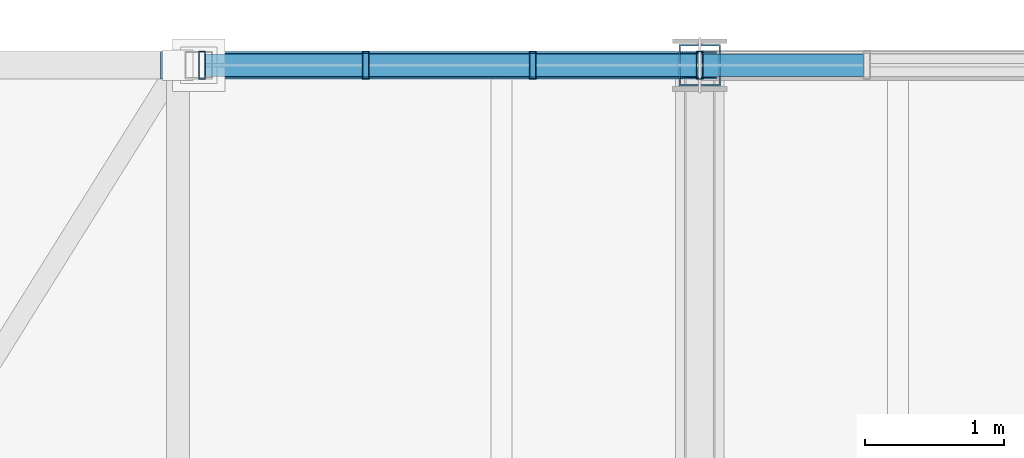
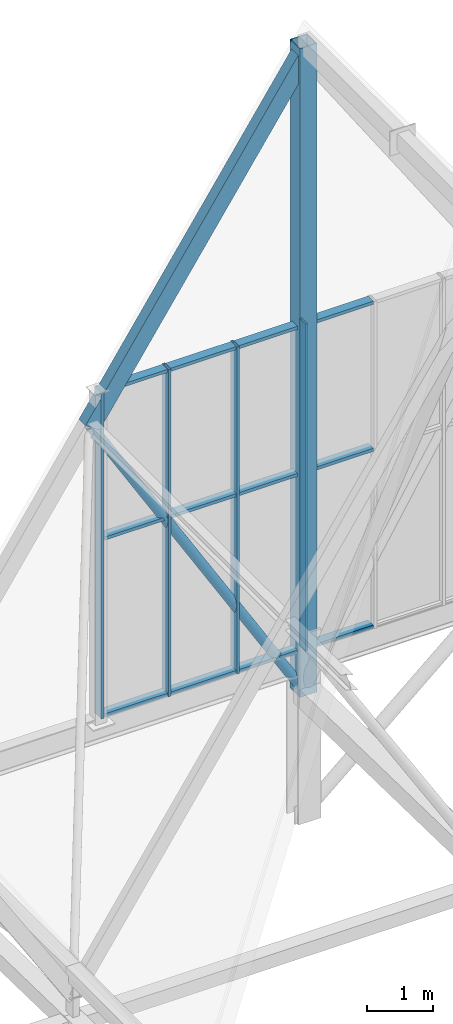
# One storey, part 238 of 324: 19 members, 1 element without a shape of its own.
"""IFC4 building model written with IfcOpenShell, lengths in metres."""

from ifc_helpers import new_model, si_unit, direction, frame, origin, origin_2d, place, context, subcontext, project, spatial, hollow_rectangle, hollow_circle, extrude, material, layer, layer_set, material_profile, profile_set, type_object, element, aggregate, save


model = new_model("IFC4")

# Units and contexts
model_context = context("Model", 3, precision=1e-05, world=origin(), true_north=direction((0.0, 1.0)))
body_context = subcontext(model_context, "Body", "Model", "MODEL_VIEW")
ifc_project = project(units=[si_unit("LENGTHUNIT", "METRE"), si_unit("AREAUNIT", "SQUARE_METRE"), si_unit("VOLUMEUNIT", "CUBIC_METRE"), si_unit("PLANEANGLEUNIT", "RADIAN"), si_unit("MASSUNIT", "GRAM", prefix="KILO")], contexts=[model_context])

# Site, building, storey
site_placement = place(None, origin())
site = spatial("IfcSite", under=ifc_project, at=site_placement, CompositionType="ELEMENT")
building_placement = place(site_placement, origin())
building = spatial("IfcBuilding", under=site, at=building_placement, Name="Solvenia Promenade Tram Depot", CompositionType="ELEMENT")
storey_placement = place(building_placement, frame((0.0, 0.0, 4.5)))
storey = spatial("IfcBuildingStorey", under=building, at=storey_placement, Name="L01", CompositionType="ELEMENT", Elevation=4.5)

# Curtain wall, members
ifc_material_1 = material(Name="Anodized aluminium AW-6063 T6", Category="aluminium")
ifc_layer = layer(ifc_material_1, 0.14990234375, Name="Anodized aluminium AW-6063 T6", Category="aluminium")
ifc_layer_set = layer_set([ifc_layer], Name="Anodized aluminium AW-6063 T6")
curtain_wall_type = type_object("IfcCurtainWallType", Name="CW-Gable-1200", PredefinedType="NOTDEFINED", material=ifc_layer_set)
curtain_wall_placement = place(storey_placement, origin())
curtain_wall = element("IfcCurtainWall", 1, at=curtain_wall_placement, inside=storey, type_object=curtain_wall_type, Name="North Zigzag Gable 10 Peak Glazing", PredefinedType="NOTDEFINED")
ifc_material_profile_1 = material_profile(ifc_material_1, hollow_rectangle(XDim=0.199951171875, YDim=0.048095703125, WallThickness=0.00390625, at=origin_2d()), Name="ALU-M3", Category="aluminium")
ifc_profile_set_1 = profile_set([ifc_material_profile_1], Name="Anodized aluminium AW-6063 T6")
member_type_1 = type_object("IfcMemberType", Name="CWM-Mullion-3", PredefinedType="MULLION", material=ifc_profile_set_1)
member_1_placement = place(storey_placement, frame((138.924072265625, 126.0, 3.10009765625), z_axis=(0.0, 0.0, 1.0), x_axis=(0.0, 1.0, 0.0)))
member_1 = element("IfcMember", 2, at=member_1_placement, type_object=member_type_1, Name="CW-3 mullion 1", PredefinedType="MULLION", context=body_context, shape_type="SweptSolid", body=[
    extrude(hollow_rectangle(XDim=0.199951171875, YDim=0.048095703125, WallThickness=0.00390625, at=origin_2d()), origin(), (0.0, 0.0, 1.0), 6.0498046875),
])
member_2_placement = place(storey_placement, frame((140.10009765625, 126.0, 3.10009765625), z_axis=(0.0, 0.0, 1.0), x_axis=(0.0, 1.0, 0.0)))
member_2 = element("IfcMember", 3, at=member_2_placement, type_object=member_type_1, Name="CW-3 mullion 2", PredefinedType="MULLION", context=body_context, shape_type="SweptSolid", body=[
    extrude(hollow_rectangle(XDim=0.199951171875, YDim=0.048095703125, WallThickness=0.00390625, at=origin_2d()), origin(), (0.0, 0.0, 1.0), 6.0498046875),
])
member_3_placement = place(storey_placement, frame((141.300048828125, 126.0, 3.10009765625), z_axis=(0.0, 0.0, 1.0), x_axis=(0.0, 1.0, 0.0)))
member_3 = element("IfcMember", 4, at=member_3_placement, type_object=member_type_1, Name="CW-3 mullion 3", PredefinedType="MULLION", context=body_context, shape_type="SweptSolid", body=[
    extrude(hollow_rectangle(XDim=0.199951171875, YDim=0.048095703125, WallThickness=0.00390625, at=origin_2d()), origin(), (0.0, 0.0, 1.0), 6.0498046875),
])
member_4_placement = place(storey_placement, frame((142.5, 126.0, 3.10009765625), z_axis=(0.0, 0.0, 1.0), x_axis=(0.0, 1.0, 0.0)))
member_4 = element("IfcMember", 5, at=member_4_placement, type_object=member_type_1, Name="CW-3 mullion 4", PredefinedType="MULLION", context=body_context, shape_type="SweptSolid", body=[
    extrude(hollow_rectangle(XDim=0.199951171875, YDim=0.048095703125, WallThickness=0.00390625, at=origin_2d()), origin(), (0.0, 0.0, 1.0), 6.0498046875),
])
ifc_material_profile_2 = material_profile(ifc_material_1, hollow_rectangle(XDim=0.159912109375, YDim=0.05810546875, WallThickness=0.00390625, at=origin_2d()), Name="ALU-T3", Category="aluminium")
ifc_profile_set_2 = profile_set([ifc_material_profile_2], Name="Anodized aluminium AW-6063 T6")
member_type_2 = type_object("IfcMemberType", Name="CWT-Transom-3", PredefinedType="USERDEFINED", material=ifc_profile_set_2)
member_5_placement = place(storey_placement, frame((138.947998046875, 126.0, 3.12890625), z_axis=(1.0, 0.0, 0.0), x_axis=(0.0, 1.0, 0.0)))
member_5 = element("IfcMember", 6, at=member_5_placement, type_object=member_type_2, Name="CW-3 transom 1.1", ObjectType="TRANSOM", PredefinedType="USERDEFINED", context=body_context, shape_type="SweptSolid", body=[
    extrude(hollow_rectangle(XDim=0.159912109375, YDim=0.05810546875, WallThickness=0.00390625, at=origin_2d()), origin(), (0.0, 0.0, 1.0), 1.1279296875),
])
member_6_placement = place(storey_placement, frame((138.947998046875, 126.0, 6.39990234375), z_axis=(1.0, 0.0, 0.0), x_axis=(0.0, 1.0, 0.0)))
member_6 = element("IfcMember", 7, at=member_6_placement, type_object=member_type_2, Name="CW-3 transom 1.2", ObjectType="TRANSOM", PredefinedType="USERDEFINED", context=body_context, shape_type="SweptSolid", body=[
    extrude(hollow_rectangle(XDim=0.159912109375, YDim=0.05810546875, WallThickness=0.00390625, at=origin_2d()), origin(), (0.0, 0.0, 1.0), 1.1279296875),
])
member_7_placement = place(storey_placement, frame((138.947998046875, 126.0, 9.12109375), z_axis=(1.0, 0.0, 0.0), x_axis=(0.0, 1.0, 0.0)))
member_7 = element("IfcMember", 8, at=member_7_placement, type_object=member_type_2, Name="CW-3 transom 1.3", ObjectType="TRANSOM", PredefinedType="USERDEFINED", context=body_context, shape_type="SweptSolid", body=[
    extrude(hollow_rectangle(XDim=0.159912109375, YDim=0.05810546875, WallThickness=0.00390625, at=origin_2d()), origin(), (0.0, 0.0, 1.0), 1.1279296875),
])
member_8_placement = place(storey_placement, frame((140.1240234375, 126.0, 3.12890625), z_axis=(1.0, 0.0, 0.0), x_axis=(0.0, 1.0, 0.0)))
member_8 = element("IfcMember", 9, at=member_8_placement, type_object=member_type_2, Name="CW-3 transom 2.1", ObjectType="TRANSOM", PredefinedType="USERDEFINED", context=body_context, shape_type="SweptSolid", body=[
    extrude(hollow_rectangle(XDim=0.159912109375, YDim=0.05810546875, WallThickness=0.00390625, at=origin_2d()), origin(), (0.0, 0.0, 1.0), 1.15185546875),
])
member_9_placement = place(storey_placement, frame((140.1240234375, 126.0, 6.39990234375), z_axis=(1.0, 0.0, 0.0), x_axis=(0.0, 1.0, 0.0)))
member_9 = element("IfcMember", 10, at=member_9_placement, type_object=member_type_2, Name="CW-3 transom 2.2", ObjectType="TRANSOM", PredefinedType="USERDEFINED", context=body_context, shape_type="SweptSolid", body=[
    extrude(hollow_rectangle(XDim=0.159912109375, YDim=0.05810546875, WallThickness=0.00390625, at=origin_2d()), origin(), (0.0, 0.0, 1.0), 1.15185546875),
])
member_10_placement = place(storey_placement, frame((140.1240234375, 126.0, 9.12109375), z_axis=(1.0, 0.0, 0.0), x_axis=(0.0, 1.0, 0.0)))
member_10 = element("IfcMember", 11, at=member_10_placement, type_object=member_type_2, Name="CW-3 transom 2.3", ObjectType="TRANSOM", PredefinedType="USERDEFINED", context=body_context, shape_type="SweptSolid", body=[
    extrude(hollow_rectangle(XDim=0.159912109375, YDim=0.05810546875, WallThickness=0.00390625, at=origin_2d()), origin(), (0.0, 0.0, 1.0), 1.15185546875),
])
member_11_placement = place(storey_placement, frame((141.323974609375, 126.0, 3.12890625), z_axis=(1.0, 0.0, 0.0), x_axis=(0.0, 1.0, 0.0)))
member_11 = element("IfcMember", 12, at=member_11_placement, type_object=member_type_2, Name="CW-3 transom 3.1", ObjectType="TRANSOM", PredefinedType="USERDEFINED", context=body_context, shape_type="SweptSolid", body=[
    extrude(hollow_rectangle(XDim=0.159912109375, YDim=0.05810546875, WallThickness=0.00390625, at=origin_2d()), origin(), (0.0, 0.0, 1.0), 1.152099609375),
])
member_12_placement = place(storey_placement, frame((141.323974609375, 126.0, 6.39990234375), z_axis=(1.0, 0.0, 0.0), x_axis=(0.0, 1.0, 0.0)))
member_12 = element("IfcMember", 13, at=member_12_placement, type_object=member_type_2, Name="CW-3 transom 3.2", ObjectType="TRANSOM", PredefinedType="USERDEFINED", context=body_context, shape_type="SweptSolid", body=[
    extrude(hollow_rectangle(XDim=0.159912109375, YDim=0.05810546875, WallThickness=0.00390625, at=origin_2d()), origin(), (0.0, 0.0, 1.0), 1.152099609375),
])
member_13_placement = place(storey_placement, frame((141.323974609375, 126.0, 9.12109375), z_axis=(1.0, 0.0, 0.0), x_axis=(0.0, 1.0, 0.0)))
member_13 = element("IfcMember", 14, at=member_13_placement, type_object=member_type_2, Name="CW-3 transom 3.3", ObjectType="TRANSOM", PredefinedType="USERDEFINED", context=body_context, shape_type="SweptSolid", body=[
    extrude(hollow_rectangle(XDim=0.159912109375, YDim=0.05810546875, WallThickness=0.00390625, at=origin_2d()), origin(), (0.0, 0.0, 1.0), 1.152099609375),
])
member_14_placement = place(storey_placement, frame((142.52392578125, 126.0, 3.12890625), z_axis=(1.0, 0.0, 0.0), x_axis=(0.0, 1.0, 0.0)))
member_14 = element("IfcMember", 15, at=member_14_placement, type_object=member_type_2, Name="CW-3 transom 4.1", ObjectType="TRANSOM", PredefinedType="USERDEFINED", context=body_context, shape_type="SweptSolid", body=[
    extrude(hollow_rectangle(XDim=0.159912109375, YDim=0.05810546875, WallThickness=0.00390625, at=origin_2d()), origin(), (0.0, 0.0, 1.0), 1.152099609375),
])
member_15_placement = place(storey_placement, frame((142.52392578125, 126.0, 6.39990234375), z_axis=(1.0, 0.0, 0.0), x_axis=(0.0, 1.0, 0.0)))
member_15 = element("IfcMember", 16, at=member_15_placement, type_object=member_type_2, Name="CW-3 transom 4.2", ObjectType="TRANSOM", PredefinedType="USERDEFINED", context=body_context, shape_type="SweptSolid", body=[
    extrude(hollow_rectangle(XDim=0.159912109375, YDim=0.05810546875, WallThickness=0.00390625, at=origin_2d()), origin(), (0.0, 0.0, 1.0), 1.152099609375),
])
member_16_placement = place(storey_placement, frame((142.52392578125, 126.0, 9.12109375), z_axis=(1.0, 0.0, 0.0), x_axis=(0.0, 1.0, 0.0)))
member_16 = element("IfcMember", 17, at=member_16_placement, type_object=member_type_2, Name="CW-3 transom 4.3", ObjectType="TRANSOM", PredefinedType="USERDEFINED", context=body_context, shape_type="SweptSolid", body=[
    extrude(hollow_rectangle(XDim=0.159912109375, YDim=0.05810546875, WallThickness=0.00390625, at=origin_2d()), origin(), (0.0, 0.0, 1.0), 1.152099609375),
])
aggregate(curtain_wall, [member_1, member_2, member_3, member_4, member_5, member_6, member_7, member_8, member_9, member_10, member_11, member_12, member_13, member_14, member_15, member_16])

# Members
ifc_material_2 = material(Name="Structural steel ASTM A500 Gr. C", Category="steel")
ifc_material_profile_3 = material_profile(ifc_material_2, hollow_rectangle(XDim=0.199951171875, YDim=0.300048828125, WallThickness=0.012451171875, at=origin_2d()), Name="HSS300x200x12.5", Category="steel")
ifc_profile_set_3 = profile_set([ifc_material_profile_3], Name="Structural steel ASTM A500 Gr. C")
member_type_3 = type_object("IfcMemberType", Name="Chord-HSS300x200x12", PredefinedType="CHORD", material=ifc_profile_set_3)
member_17_placement = place(storey_placement, frame((138.75, 126.0, 8.54443359375), z_axis=(0.557259486914, 0.0, 0.83033840345), x_axis=(0.0, 1.0, 0.0)))
element("IfcMember", 18, at=member_17_placement, inside=storey, type_object=member_type_3, Name="Zigzag Gable 10 West Upper Rafter", PredefinedType="CHORD", context=body_context, shape_type="SweptSolid", body=[
    extrude(hollow_rectangle(XDim=0.199951171875, YDim=0.300048828125, WallThickness=0.012451171875, at=origin_2d()), origin(), (0.0, 0.0, 1.0), 6.729248046875),
])
ifc_material_profile_4 = material_profile(ifc_material_2, hollow_rectangle(XDim=0.300048828125, YDim=0.300048828125, WallThickness=0.012451171875, at=origin_2d()), Name="HSS300x300x12.5", Category="steel")
ifc_profile_set_4 = profile_set([ifc_material_profile_4], Name="Structural steel ASTM A500 Gr. C")
member_type_4 = type_object("IfcMemberType", Name="Chord-HSS300x300x12", PredefinedType="CHORD", material=ifc_profile_set_4)
member_18_placement = place(storey_placement, frame((142.5, 126.0, 2.320068359375), z_axis=(0.0, 0.0, 1.0), x_axis=(1.0, 0.0, 0.0)))
element("IfcMember", 19, at=member_18_placement, inside=storey, type_object=member_type_4, Name="Arched Truss T20 N End Post", PredefinedType="CHORD", context=body_context, shape_type="SweptSolid", body=[
    extrude(hollow_rectangle(XDim=0.300048828125, YDim=0.300048828125, WallThickness=0.012451171875, at=origin_2d()), origin(), (0.0, 0.0, 1.0), 12.0048828125),
])
ifc_material_profile_5 = material_profile(ifc_material_2, hollow_circle(Radius=0.084228515625, WallThickness=0.008056640625, at=origin_2d()), Name="CHS168.3x8", Category="steel")
ifc_profile_set_5 = profile_set([ifc_material_profile_5], Name="Structural steel ASTM A500 Gr. C")
member_type_5 = type_object("IfcMemberType", Name="WebDiag-CHS168x8", PredefinedType="BRACE", material=ifc_profile_set_5)
member_19_placement = place(storey_placement, frame((142.5, 126.0, 2.320068359375), z_axis=(-0.516051243619, 0.0, 0.856557711984), x_axis=(0.0, -1.0, 0.0)))
element("IfcMember", 20, at=member_19_placement, inside=storey, type_object=member_type_5, Name="Zigzag Gable 10 West Knee Strut", PredefinedType="BRACE", context=body_context, shape_type="SweptSolid", body=[
    extrude(hollow_circle(Radius=0.084228515625, WallThickness=0.008056640625, at=origin_2d()), origin(), (0.0, 0.0, 1.0), 7.2666015625),
])

save(model, "model.ifc")
